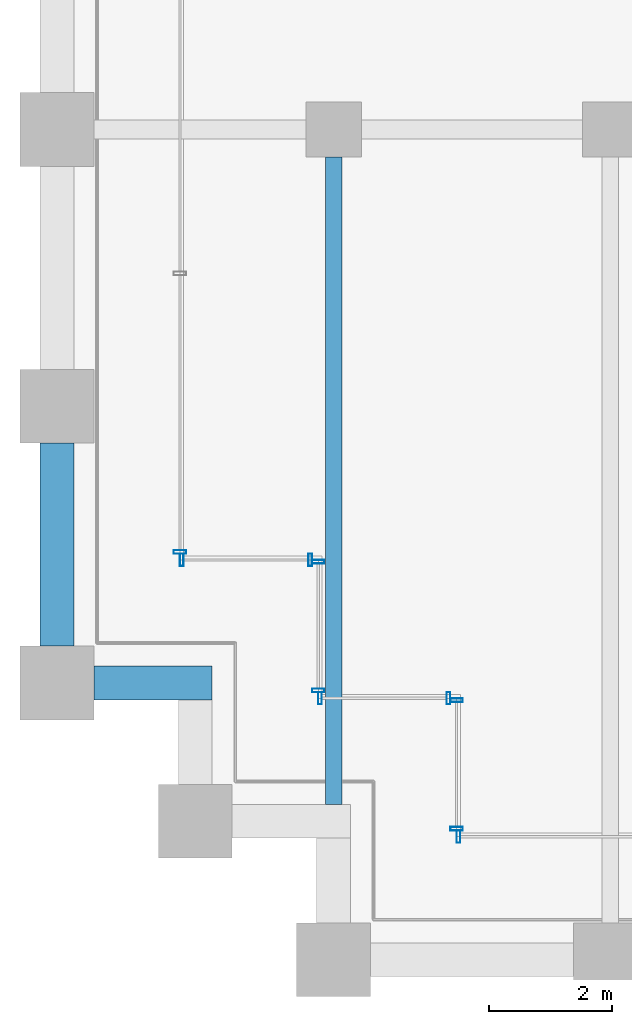
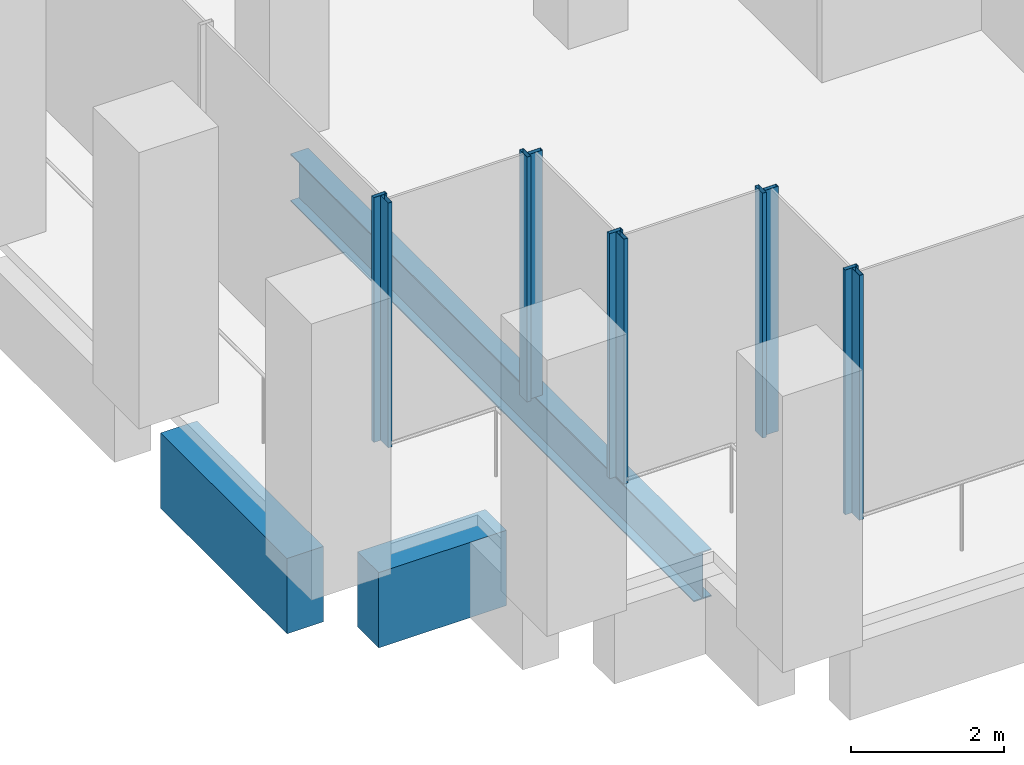
# One storey, part 2 of 36: 10 members, 3 beams, 6 elements without a shape of their own.
"""IFC4 building model written with IfcOpenShell, lengths in metres."""

from ifc_helpers import new_model, si_unit, direction, frame, origin, origin_2d, place, context, subcontext, project, spatial, rectangle, hollow_rectangle, i_section, extrude, material, material_profile, profile_set, type_object, element, aggregate, save


model = new_model("IFC4")

# Units and contexts
model_context = context("Model", 3, precision=1e-05, world=origin(), true_north=direction((0.0, 1.0)))
body_context = subcontext(model_context, "Body", "Model", "MODEL_VIEW")
ifc_project = project(units=[si_unit("LENGTHUNIT", "METRE"), si_unit("AREAUNIT", "SQUARE_METRE"), si_unit("VOLUMEUNIT", "CUBIC_METRE"), si_unit("PLANEANGLEUNIT", "RADIAN"), si_unit("MASSUNIT", "GRAM", prefix="KILO")], contexts=[model_context])

# Site, building, storey
site_placement = place(None, origin())
site = spatial("IfcSite", under=ifc_project, at=site_placement, CompositionType="ELEMENT")
building_placement = place(site_placement, origin())
building = spatial("IfcBuilding", under=site, at=building_placement, Name="Altepetl Exchange Towers", CompositionType="ELEMENT")
storey_placement = place(building_placement, frame((0.0, 0.0, 38.60009765625)))
storey = spatial("IfcBuildingStorey", under=building, at=storey_placement, Name="L08", CompositionType="ELEMENT", Elevation=38.60009765625)

# Beam
ifc_material_1 = material(Name="Steel S355", Category="steel")
ifc_material_profile_1 = material_profile(ifc_material_1, i_section(OverallWidth=0.26611328125, OverallDepth=0.758056640625, WebThickness=0.013916015625, FlangeThickness=0.019287109375, at=origin_2d()), Name="W30X108")
ifc_profile_set_1 = profile_set([ifc_material_profile_1], Name="Steel S355")
beam_type_1 = type_object("IfcBeamType", Name="Floor beam W30X108", PredefinedType="BEAM", material=ifc_profile_set_1)
beam_1_placement = place(storey_placement, frame((31.5, 29.52490234375, -0.55419921875), z_axis=(0.0, 1.0, 0.0), x_axis=(-1.0, 0.0, 0.0)))
element("IfcBeam", 1, at=beam_1_placement, inside=storey, type_object=beam_type_1, Name="bm:A:L08:012", PredefinedType="BEAM", context=body_context, shape_type="SweptSolid", body=[
    extrude(i_section(OverallWidth=0.26611328125, OverallDepth=0.758056640625, WebThickness=0.013916015625, FlangeThickness=0.019287109375, at=origin_2d()), origin(), (0.0, 0.0, 1.0), 10.525146484375),
])

# Curtain wall, member
ifc_material_2 = material(Name="Aluminium 6063-T6 glazing", Category="aluminium")
curtain_wall_type = type_object("IfcCurtainWallType", Name="Trading floor glazing system", PredefinedType="NOTDEFINED", material=ifc_material_2)
curtain_wall_1_placement = place(storey_placement, origin())
curtain_wall_1 = element("IfcCurtainWall", 2, at=curtain_wall_1_placement, inside=storey, type_object=curtain_wall_type, Name="CW2 run", PredefinedType="NOTDEFINED")
ifc_material_3 = material(Name="Aluminium 6063-T6", Category="aluminium")
ifc_material_profile_2 = material_profile(ifc_material_3, hollow_rectangle(XDim=0.06005859375, YDim=0.199951171875, WallThickness=0.0029296875, at=origin_2d()), Name="Mullion 60x200 aluminium")
ifc_profile_set_2 = profile_set([ifc_material_profile_2], Name="Aluminium 6063-T6")
member_type = type_object("IfcMemberType", Name="Mullion 60x200 aluminium", PredefinedType="MULLION", material=ifc_profile_set_2)
member_1_placement = place(storey_placement, frame((29.0, 33.6298828125, 0.0), z_axis=(0.0, 0.0, 1.0), x_axis=(0.0, -1.0, 0.0)))
member_1 = element("IfcMember", 3, at=member_1_placement, type_object=member_type, Name="MU2 mullion", PredefinedType="MULLION", context=body_context, shape_type="SweptSolid", body=[
    extrude(hollow_rectangle(XDim=0.06005859375, YDim=0.199951171875, WallThickness=0.0029296875, at=origin_2d()), origin(), (0.0, 0.0, 1.0), 3.89990234375),
])
aggregate(curtain_wall_1, [member_1])

# Curtain wall, members
curtain_wall_2_placement = place(storey_placement, origin())
curtain_wall_2 = element("IfcCurtainWall", 4, at=curtain_wall_2_placement, inside=storey, type_object=curtain_wall_type, Name="CW2 run", PredefinedType="NOTDEFINED")
member_2_placement = place(storey_placement, frame((29.030029296875, 33.5, 0.0)))
member_2 = element("IfcMember", 5, at=member_2_placement, type_object=member_type, Name="MU2 mullion", PredefinedType="MULLION", context=body_context, shape_type="SweptSolid", body=[
    extrude(hollow_rectangle(XDim=0.06005859375, YDim=0.199951171875, WallThickness=0.0029296875, at=origin_2d()), origin(), (0.0, 0.0, 1.0), 3.89990234375),
])
member_3_placement = place(storey_placement, frame((31.1201171875, 33.5, 0.0)))
member_3 = element("IfcMember", 6, at=member_3_placement, type_object=member_type, Name="MU2 mullion", PredefinedType="MULLION", context=body_context, shape_type="SweptSolid", body=[
    extrude(hollow_rectangle(XDim=0.06005859375, YDim=0.199951171875, WallThickness=0.0029296875, at=origin_2d()), origin(), (0.0, 0.0, 1.0), 3.89990234375),
])
aggregate(curtain_wall_2, [member_2, member_3])

curtain_wall_3_placement = place(storey_placement, origin())
curtain_wall_3 = element("IfcCurtainWall", 7, at=curtain_wall_3_placement, inside=storey, type_object=curtain_wall_type, Name="CW2 run", PredefinedType="NOTDEFINED")
member_4_placement = place(storey_placement, frame((31.25, 33.469970703125, 0.0), z_axis=(0.0, 0.0, 1.0), x_axis=(0.0, -1.0, 0.0)))
member_4 = element("IfcMember", 8, at=member_4_placement, type_object=member_type, Name="MU2 mullion", PredefinedType="MULLION", context=body_context, shape_type="SweptSolid", body=[
    extrude(hollow_rectangle(XDim=0.06005859375, YDim=0.199951171875, WallThickness=0.0029296875, at=origin_2d()), origin(), (0.0, 0.0, 1.0), 3.89990234375),
])
member_5_placement = place(storey_placement, frame((31.25, 31.3798828125, 0.0), z_axis=(0.0, 0.0, 1.0), x_axis=(0.0, -1.0, 0.0)))
member_5 = element("IfcMember", 9, at=member_5_placement, type_object=member_type, Name="MU2 mullion", PredefinedType="MULLION", context=body_context, shape_type="SweptSolid", body=[
    extrude(hollow_rectangle(XDim=0.06005859375, YDim=0.199951171875, WallThickness=0.0029296875, at=origin_2d()), origin(), (0.0, 0.0, 1.0), 3.89990234375),
])
aggregate(curtain_wall_3, [member_4, member_5])

curtain_wall_4_placement = place(storey_placement, origin())
curtain_wall_4 = element("IfcCurtainWall", 10, at=curtain_wall_4_placement, inside=storey, type_object=curtain_wall_type, Name="CW2 run", PredefinedType="NOTDEFINED")
member_6_placement = place(storey_placement, frame((31.280029296875, 31.25, 0.0)))
member_6 = element("IfcMember", 11, at=member_6_placement, type_object=member_type, Name="MU2 mullion", PredefinedType="MULLION", context=body_context, shape_type="SweptSolid", body=[
    extrude(hollow_rectangle(XDim=0.06005859375, YDim=0.199951171875, WallThickness=0.0029296875, at=origin_2d()), origin(), (0.0, 0.0, 1.0), 3.89990234375),
])
member_7_placement = place(storey_placement, frame((33.3701171875, 31.25, 0.0)))
member_7 = element("IfcMember", 12, at=member_7_placement, type_object=member_type, Name="MU2 mullion", PredefinedType="MULLION", context=body_context, shape_type="SweptSolid", body=[
    extrude(hollow_rectangle(XDim=0.06005859375, YDim=0.199951171875, WallThickness=0.0029296875, at=origin_2d()), origin(), (0.0, 0.0, 1.0), 3.89990234375),
])
aggregate(curtain_wall_4, [member_6, member_7])

curtain_wall_5_placement = place(storey_placement, origin())
curtain_wall_5 = element("IfcCurtainWall", 13, at=curtain_wall_5_placement, inside=storey, type_object=curtain_wall_type, Name="CW2 run", PredefinedType="NOTDEFINED")
member_8_placement = place(storey_placement, frame((33.5, 31.219970703125, 0.0), z_axis=(0.0, 0.0, 1.0), x_axis=(0.0, -1.0, 0.0)))
member_8 = element("IfcMember", 14, at=member_8_placement, type_object=member_type, Name="MU2 mullion", PredefinedType="MULLION", context=body_context, shape_type="SweptSolid", body=[
    extrude(hollow_rectangle(XDim=0.06005859375, YDim=0.199951171875, WallThickness=0.0029296875, at=origin_2d()), origin(), (0.0, 0.0, 1.0), 3.89990234375),
])
member_9_placement = place(storey_placement, frame((33.5, 29.1298828125, 0.0), z_axis=(0.0, 0.0, 1.0), x_axis=(0.0, -1.0, 0.0)))
member_9 = element("IfcMember", 15, at=member_9_placement, type_object=member_type, Name="MU2 mullion", PredefinedType="MULLION", context=body_context, shape_type="SweptSolid", body=[
    extrude(hollow_rectangle(XDim=0.06005859375, YDim=0.199951171875, WallThickness=0.0029296875, at=origin_2d()), origin(), (0.0, 0.0, 1.0), 3.89990234375),
])
aggregate(curtain_wall_5, [member_8, member_9])

# Curtain wall, member
curtain_wall_6_placement = place(storey_placement, origin())
curtain_wall_6 = element("IfcCurtainWall", 16, at=curtain_wall_6_placement, inside=storey, type_object=curtain_wall_type, Name="CW2 run", PredefinedType="NOTDEFINED")
member_10_placement = place(storey_placement, frame((33.530029296875, 29.0, 0.0)))
member_10 = element("IfcMember", 17, at=member_10_placement, type_object=member_type, Name="MU2 mullion", PredefinedType="MULLION", context=body_context, shape_type="SweptSolid", body=[
    extrude(hollow_rectangle(XDim=0.06005859375, YDim=0.199951171875, WallThickness=0.0029296875, at=origin_2d()), origin(), (0.0, 0.0, 1.0), 3.89990234375),
])
aggregate(curtain_wall_6, [member_10])

# Beams
ifc_material_4 = material(Name="Concrete C50/60 precast with cantera blanca facing", Category="concrete")
ifc_material_profile_3 = material_profile(ifc_material_4, rectangle(XDim=0.550048828125, YDim=1.199951171875, at=origin_2d()), Name="550 x 1200")
ifc_profile_set_3 = profile_set([ifc_material_profile_3], Name="Concrete C50/60 precast with cantera blanca facing")
beam_type_2 = type_object("IfcBeamType", Name="Spandrel beam 550x1200 cantera blanca", PredefinedType="SPANDREL", material=ifc_profile_set_3)
beam_2_placement = place(storey_placement, frame((27.0, 35.39990234375, -0.775146484375), z_axis=(0.0, -1.0, 0.0), x_axis=(1.0, 0.0, 0.0)))
element("IfcBeam", 18, at=beam_2_placement, inside=storey, type_object=beam_type_2, Name="sp:A:L08:043", PredefinedType="SPANDREL", context=body_context, shape_type="SweptSolid", body=[
    extrude(rectangle(XDim=0.550048828125, YDim=1.199951171875, at=origin_2d()), origin(), (0.0, 0.0, 1.0), 3.2998046875),
])
beam_3_placement = place(storey_placement, frame((27.60009765625, 31.5, -0.775146484375), z_axis=(1.0, 0.0, 0.0), x_axis=(0.0, 1.0, 0.0)))
element("IfcBeam", 19, at=beam_3_placement, inside=storey, type_object=beam_type_2, Name="sp:A:L08:044", PredefinedType="SPANDREL", context=body_context, shape_type="SweptSolid", body=[
    extrude(rectangle(XDim=0.550048828125, YDim=1.199951171875, at=origin_2d()), origin(), (0.0, 0.0, 1.0), 1.9248046875),
])

save(model, "model.ifc")
